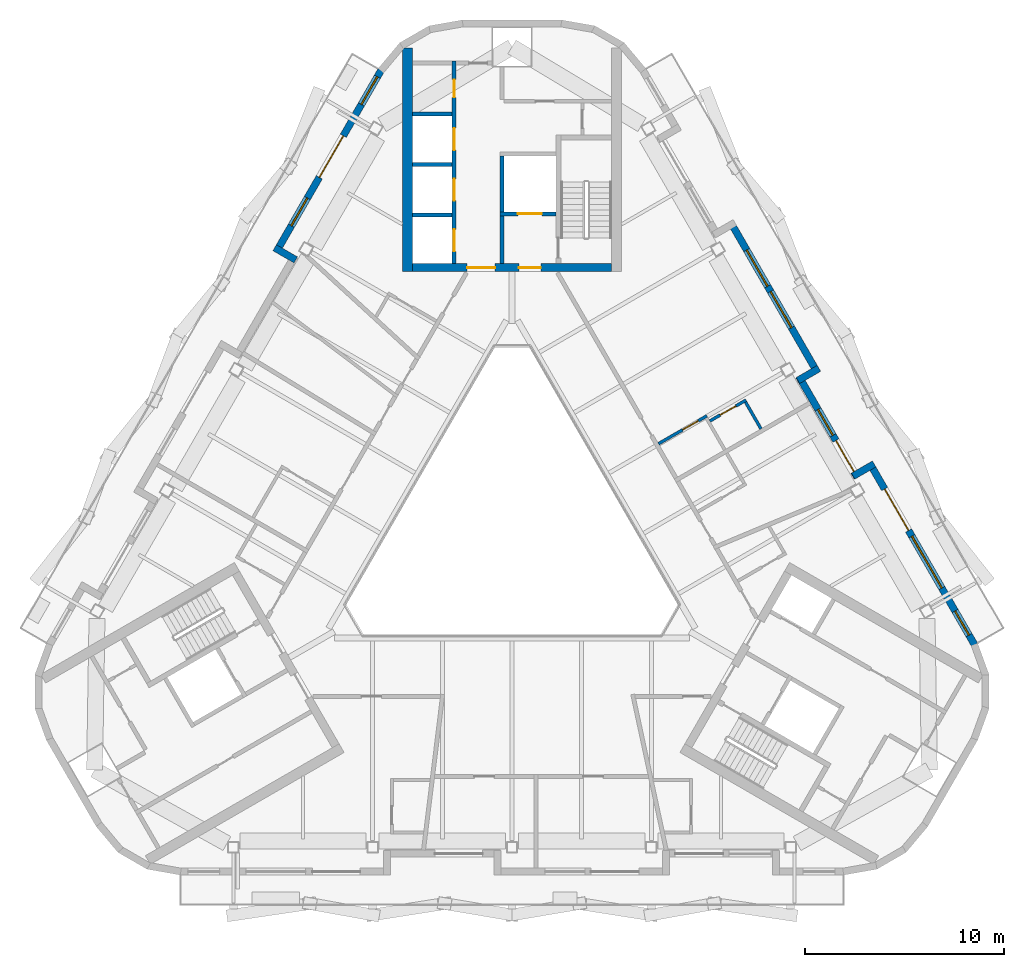
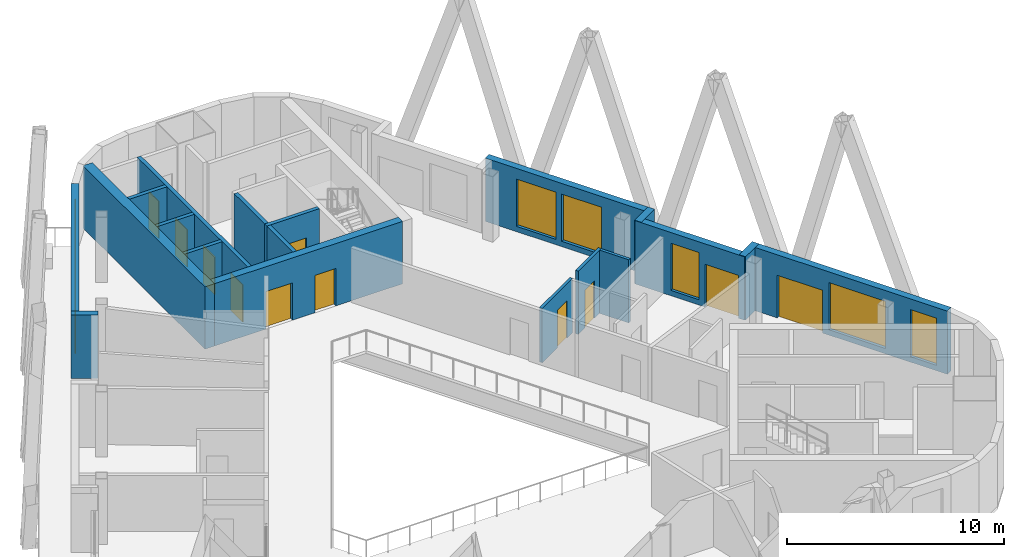
# One storey, part 6 of 12: 19 walls, 12 doors, 7 windows, 19 openings.
"""IFC4 building model written with IfcOpenShell, lengths in metres."""

from ifc_helpers import new_model, si_unit, direction, frame, frame_2d, origin, place, context, subcontext, project, spatial, rectangle, extrude, material, layer, layer_set, type_object, element, fill, save


model = new_model("IFC4")

# Units and contexts
model_context = context("Model", 3, precision=1e-05, world=origin(), true_north=direction((0.0, 1.0)))
body_context = subcontext(model_context, "Body", "Model", "MODEL_VIEW")
ifc_project = project(units=[si_unit("LENGTHUNIT", "METRE"), si_unit("AREAUNIT", "SQUARE_METRE"), si_unit("VOLUMEUNIT", "CUBIC_METRE"), si_unit("PLANEANGLEUNIT", "RADIAN"), si_unit("MASSUNIT", "GRAM", prefix="KILO")], contexts=[model_context])

# Site, building, storey
site_placement = place(None, origin())
site = spatial("IfcSite", under=ifc_project, at=site_placement, CompositionType="ELEMENT")
building_placement = place(site_placement, origin())
building = spatial("IfcBuilding", under=site, at=building_placement, Name="Apuvela Tower Hotel", CompositionType="ELEMENT")
storey_placement = place(building_placement, frame((0.0, 0.0, 291.10009765625)))
storey = spatial("IfcBuildingStorey", under=building, at=storey_placement, Name="L72", CompositionType="ELEMENT", Elevation=291.10009765625)

# Wall, openings, doors
ifc_material_1 = material(Name="Concrete C50/60", Category="concrete")
ifc_layer_1 = layer(ifc_material_1, 0.39990234375)
ifc_layer_set_1 = layer_set([ifc_layer_1], Name="COR-WALL-CORE-400")
wall_type_1 = type_object("IfcWallType", Name="COR-WALL-CORE-400", PredefinedType="SHEAR", material=ifc_layer_set_1)
wall_1_placement = place(storey_placement, frame((5.0, 13.10009765625, 0.0), z_axis=(0.0, 0.0, 1.0), x_axis=(-1.0, 0.0, 0.0)))
wall_1 = element("IfcWall", 1, at=wall_1_placement, inside=storey, type_object=wall_type_1, Name="Core wall N", PredefinedType="SHEAR", context=body_context, shape_type="SweptSolid", body=[
    extrude(rectangle(XDim=10.0, YDim=0.39990234375, at=frame_2d((5.0, 0.0))), origin(), (0.0, 0.0, 1.0), 3.5),
])
opening_1_placement = place(wall_1_placement, frame((3.550048828125, 0.0, 0.0)))
opening_1 = element("IfcOpeningElement", 2, at=opening_1_placement, cuts=wall_1, Name="Opening N-FD", PredefinedType="OPENING", context=body_context, shape_type="SweptSolid", body=[
    extrude(rectangle(XDim=1.10009765625, YDim=2.10009765625, at=frame_2d((0.550048828125, 1.050048828125))), frame((0.0, 0.2099609375, 0.0), z_axis=(0.0, -1.0, 0.0), x_axis=(1.0, 0.0, 0.0)), (0.0, 0.0, 1.0), 0.419921875),
])
opening_2_placement = place(wall_1_placement, frame((5.85009765625, 0.0, 0.0)))
opening_2 = element("IfcOpeningElement", 3, at=opening_2_placement, cuts=wall_1, Name="Opening N-GD", PredefinedType="OPENING", context=body_context, shape_type="SweptSolid", body=[
    extrude(rectangle(XDim=1.39990234375, YDim=2.10009765625, at=frame_2d((0.699951171875, 1.050048828125))), frame((0.0, 0.2099609375, 0.0), z_axis=(0.0, -1.0, 0.0), x_axis=(1.0, 0.0, 0.0)), (0.0, 0.0, 1.0), 0.419921875),
])
ifc_material_2 = material(Name="Steel fire door, powder coated", Category="steel")
door_type_1 = type_object("IfcDoorType", Name="COR-FD-1100", OperationType="NOTDEFINED", PredefinedType="DOOR", material=ifc_material_2)
door_1_placement = place(opening_1_placement, frame((1.10009765625, 0.0, 0.0), z_axis=(0.0, 0.0, 1.0), x_axis=(-1.0, 0.0, 0.0)))
door_1 = element("IfcDoor", 4, at=door_1_placement, inside=storey, type_object=door_type_1, Name="Firefighting lobby door N-FD", OperationType="SINGLE_SWING_LEFT", OverallHeight=2.10009765625, OverallWidth=1.10009765625, PredefinedType="DOOR", context=body_context, shape_type="SweptSolid", body=[
    extrude(rectangle(XDim=1.10009765625, YDim=2.10009765625, at=frame_2d((0.550048828125, 1.050048828125))), frame((0.0, 0.02490234375, 0.0), z_axis=(0.0, -1.0, 0.0), x_axis=(1.0, 0.0, 0.0)), (0.0, 0.0, 1.0), 0.050048828125),
])
fill(opening_1, door_1)
ifc_material_3 = material(Name="Glazed steel fire door", Category="steel")
door_type_2 = type_object("IfcDoorType", Name="COR-GD-1400", OperationType="DOUBLE_DOOR_SINGLE_SWING", PredefinedType="DOOR", material=ifc_material_3)
door_2_placement = place(opening_2_placement, frame((1.39990234375, 0.0, 0.0), z_axis=(0.0, 0.0, 1.0), x_axis=(-1.0, 0.0, 0.0)))
door_2 = element("IfcDoor", 5, at=door_2_placement, inside=storey, type_object=door_type_2, Name="Lift lobby door N-GD", OperationType="DOUBLE_DOOR_SINGLE_SWING", OverallHeight=2.10009765625, OverallWidth=1.39990234375, PredefinedType="DOOR", context=body_context, shape_type="SweptSolid", body=[
    extrude(rectangle(XDim=1.39990234375, YDim=2.10009765625, at=frame_2d((0.699951171875, 1.050048828125))), frame((0.0, 0.02490234375, 0.0), z_axis=(0.0, -1.0, 0.0), x_axis=(1.0, 0.0, 0.0)), (0.0, 0.0, 1.0), 0.050048828125),
])
fill(opening_2, door_2)

# Wall
ifc_layer_2 = layer(ifc_material_1, 0.5)
ifc_layer_set_2 = layer_set([ifc_layer_2], Name="COR-WALL-CORE-500")
wall_type_2 = type_object("IfcWallType", Name="COR-WALL-CORE-500", PredefinedType="SHEAR", material=ifc_layer_set_2)
wall_2_placement = place(storey_placement, frame((-5.25, 12.89990234375, 0.0), z_axis=(0.0, 0.0, 1.0), x_axis=(0.0, 1.0, 0.0)))
element("IfcWall", 6, at=wall_2_placement, inside=storey, type_object=wall_type_2, Name="Core wall N", PredefinedType="SHEAR", context=body_context, shape_type="SweptSolid", body=[
    extrude(rectangle(XDim=11.2216796875, YDim=0.5, at=frame_2d((5.61083984375, 0.0))), origin(), (0.0, 0.0, 1.0), 3.5),
])

# Wall, opening, door
ifc_layer_3 = layer(ifc_material_1, 0.199951171875)
ifc_layer_set_3 = layer_set([ifc_layer_3], Name="COR-WALL-SHAFT-200")
wall_type_3 = type_object("IfcWallType", Name="COR-WALL-SHAFT-200", PredefinedType="SHEAR", material=ifc_layer_set_3)
wall_3_placement = place(storey_placement, frame((2.199951171875, 15.800048828125, 0.0), z_axis=(0.0, 0.0, 1.0), x_axis=(-1.0, 0.0, 0.0)))
wall_3 = element("IfcWall", 7, at=wall_3_placement, inside=storey, type_object=wall_type_3, Name="Shaft wall N", PredefinedType="SHEAR", context=body_context, shape_type="SweptSolid", body=[
    extrude(rectangle(XDim=2.800048828125, YDim=0.199951171875, at=frame_2d((1.39990234375, 0.0))), origin(), (0.0, 0.0, 1.0), 3.5),
])
opening_3_placement = place(wall_3_placement, frame((0.699951171875, 0.0, 0.0)))
opening_3 = element("IfcOpeningElement", 8, at=opening_3_placement, cuts=wall_3, Name="Opening N-LD-FS1", PredefinedType="OPENING", context=body_context, shape_type="SweptSolid", body=[
    extrude(rectangle(XDim=1.199951171875, YDim=2.10009765625, at=frame_2d((0.60009765625, 1.050048828125))), frame((0.0, 0.10986328125, 0.0), z_axis=(0.0, -1.0, 0.0), x_axis=(1.0, 0.0, 0.0)), (0.0, 0.0, 1.0), 0.219970703125),
])
ifc_material_4 = material(Name="Stainless steel lift landing door", Category="steel")
door_type_3 = type_object("IfcDoorType", Name="COR-LD-1200", OperationType="DOUBLE_DOOR_SLIDING", PredefinedType="DOOR", material=ifc_material_4)
door_3_placement = place(opening_3_placement, origin())
door_3 = element("IfcDoor", 9, at=door_3_placement, inside=storey, type_object=door_type_3, Name="Lift landing door N-LD-FS1", OperationType="DOUBLE_DOOR_SLIDING", OverallHeight=2.10009765625, OverallWidth=1.199951171875, PredefinedType="DOOR", context=body_context, shape_type="SweptSolid", body=[
    extrude(rectangle(XDim=1.199951171875, YDim=2.10009765625, at=frame_2d((0.60009765625, 1.050048828125))), frame((0.0, 0.02490234375, 0.0), z_axis=(0.0, -1.0, 0.0), x_axis=(1.0, 0.0, 0.0)), (0.0, 0.0, 1.0), 0.050048828125),
])
fill(opening_3, door_3)

# Walls
wall_4_placement = place(storey_placement, frame((-0.5, 15.89990234375, 0.0), z_axis=(0.0, 0.0, 1.0), x_axis=(0.0, 1.0, 0.0)))
element("IfcWall", 10, at=wall_4_placement, inside=storey, type_object=wall_type_3, Name="Shaft wall N", PredefinedType="SHEAR", context=body_context, shape_type="SweptSolid", body=[
    extrude(rectangle(XDim=2.800048828125, YDim=0.199951171875, at=frame_2d((1.39990234375, 0.0))), origin(), (0.0, 0.0, 1.0), 3.5),
])
wall_5_placement = place(storey_placement, frame((-0.5, 13.300048828125, 0.0), z_axis=(0.0, 0.0, 1.0), x_axis=(0.0, 1.0, 0.0)))
element("IfcWall", 11, at=wall_5_placement, inside=storey, type_object=wall_type_3, Name="Shaft wall N", PredefinedType="SHEAR", context=body_context, shape_type="SweptSolid", body=[
    extrude(rectangle(XDim=2.39990234375, YDim=0.199951171875, at=frame_2d((1.199951171875, 0.0))), origin(), (0.0, 0.0, 1.0), 3.5),
])

# Wall, openings, doors
wall_6_placement = place(storey_placement, frame((-2.89990234375, 13.300048828125, 0.0), z_axis=(0.0, 0.0, 1.0), x_axis=(0.0, 1.0, 0.0)))
wall_6 = element("IfcWall", 12, at=wall_6_placement, inside=storey, type_object=wall_type_3, Name="Shaft wall N", PredefinedType="SHEAR", context=body_context, shape_type="SweptSolid", body=[
    extrude(rectangle(XDim=10.159912109375, YDim=0.199951171875, at=frame_2d((5.080078125, 0.0))), origin(), (0.0, 0.0, 1.0), 3.5),
])
opening_4_placement = place(wall_6_placement, frame((0.6201171875, 0.0, 0.0)))
opening_4 = element("IfcOpeningElement", 13, at=opening_4_placement, cuts=wall_6, Name="Opening N-LD-HR1", PredefinedType="OPENING", context=body_context, shape_type="SweptSolid", body=[
    extrude(rectangle(XDim=1.10009765625, YDim=2.10009765625, at=frame_2d((0.550048828125, 1.050048828125))), frame((0.0, 0.10986328125, 0.0), z_axis=(0.0, -1.0, 0.0), x_axis=(1.0, 0.0, 0.0)), (0.0, 0.0, 1.0), 0.219970703125),
])
opening_5_placement = place(wall_6_placement, frame((3.159912109375, 0.0, 0.0)))
opening_5 = element("IfcOpeningElement", 14, at=opening_5_placement, cuts=wall_6, Name="Opening N-LD-HR2", PredefinedType="OPENING", context=body_context, shape_type="SweptSolid", body=[
    extrude(rectangle(XDim=1.10009765625, YDim=2.10009765625, at=frame_2d((0.550048828125, 1.050048828125))), frame((0.0, 0.10986328125, 0.0), z_axis=(0.0, -1.0, 0.0), x_axis=(1.0, 0.0, 0.0)), (0.0, 0.0, 1.0), 0.219970703125),
])
opening_6_placement = place(wall_6_placement, frame((5.699951171875, 0.0, 0.0)))
opening_6 = element("IfcOpeningElement", 15, at=opening_6_placement, cuts=wall_6, Name="Opening N-LD-HR4", PredefinedType="OPENING", context=body_context, shape_type="SweptSolid", body=[
    extrude(rectangle(XDim=1.10009765625, YDim=2.10009765625, at=frame_2d((0.550048828125, 1.050048828125))), frame((0.0, 0.10986328125, 0.0), z_axis=(0.0, -1.0, 0.0), x_axis=(1.0, 0.0, 0.0)), (0.0, 0.0, 1.0), 0.219970703125),
])
opening_7_placement = place(wall_6_placement, frame((8.340087890625, 0.0, 0.0)))
opening_7 = element("IfcOpeningElement", 16, at=opening_7_placement, cuts=wall_6, Name="Opening N-RE4", PredefinedType="OPENING", context=body_context, shape_type="SweptSolid", body=[
    extrude(rectangle(XDim=0.89990234375, YDim=2.10009765625, at=frame_2d((0.449951171875, 1.050048828125))), frame((0.0, 0.10986328125, 0.0), z_axis=(0.0, -1.0, 0.0), x_axis=(1.0, 0.0, 0.0)), (0.0, 0.0, 1.0), 0.219970703125),
])
door_type_4 = type_object("IfcDoorType", Name="COR-DR-900", OperationType="NOTDEFINED", PredefinedType="DOOR", material=ifc_material_2)
door_4_placement = place(opening_7_placement, origin())
door_4 = element("IfcDoor", 17, at=door_4_placement, inside=storey, type_object=door_type_4, Name="Store door N-RE4", OperationType="SINGLE_SWING_LEFT", OverallHeight=2.10009765625, OverallWidth=0.89990234375, PredefinedType="DOOR", context=body_context, shape_type="SweptSolid", body=[
    extrude(rectangle(XDim=0.89990234375, YDim=2.10009765625, at=frame_2d((0.449951171875, 1.050048828125))), frame((0.0, 0.02490234375, 0.0), z_axis=(0.0, -1.0, 0.0), x_axis=(1.0, 0.0, 0.0)), (0.0, 0.0, 1.0), 0.050048828125),
])
fill(opening_7, door_4)
door_type_5 = type_object("IfcDoorType", Name="COR-LD-1100", OperationType="DOUBLE_DOOR_SLIDING", PredefinedType="DOOR", material=ifc_material_4)
door_5_placement = place(opening_4_placement, origin())
door_5 = element("IfcDoor", 18, at=door_5_placement, inside=storey, type_object=door_type_5, Name="Lift landing door N-LD-HR1", OperationType="DOUBLE_DOOR_SLIDING", OverallHeight=2.10009765625, OverallWidth=1.10009765625, PredefinedType="DOOR", context=body_context, shape_type="SweptSolid", body=[
    extrude(rectangle(XDim=1.10009765625, YDim=2.10009765625, at=frame_2d((0.550048828125, 1.050048828125))), frame((0.0, 0.02490234375, 0.0), z_axis=(0.0, -1.0, 0.0), x_axis=(1.0, 0.0, 0.0)), (0.0, 0.0, 1.0), 0.050048828125),
])
fill(opening_4, door_5)
door_6_placement = place(opening_5_placement, origin())
door_6 = element("IfcDoor", 19, at=door_6_placement, inside=storey, type_object=door_type_5, Name="Lift landing door N-LD-HR2", OperationType="DOUBLE_DOOR_SLIDING", OverallHeight=2.10009765625, OverallWidth=1.10009765625, PredefinedType="DOOR", context=body_context, shape_type="SweptSolid", body=[
    extrude(rectangle(XDim=1.10009765625, YDim=2.10009765625, at=frame_2d((0.550048828125, 1.050048828125))), frame((0.0, 0.02490234375, 0.0), z_axis=(0.0, -1.0, 0.0), x_axis=(1.0, 0.0, 0.0)), (0.0, 0.0, 1.0), 0.050048828125),
])
fill(opening_5, door_6)
door_7_placement = place(opening_6_placement, origin())
door_7 = element("IfcDoor", 20, at=door_7_placement, inside=storey, type_object=door_type_5, Name="Lift landing door N-LD-HR4", OperationType="DOUBLE_DOOR_SLIDING", OverallHeight=2.10009765625, OverallWidth=1.10009765625, PredefinedType="DOOR", context=body_context, shape_type="SweptSolid", body=[
    extrude(rectangle(XDim=1.10009765625, YDim=2.10009765625, at=frame_2d((0.550048828125, 1.050048828125))), frame((0.0, 0.02490234375, 0.0), z_axis=(0.0, -1.0, 0.0), x_axis=(1.0, 0.0, 0.0)), (0.0, 0.0, 1.0), 0.050048828125),
])
fill(opening_6, door_7)

# Walls
for number, where, z_axis, x_axis, name in (
    (21, (-3.0, 15.739990234375, 0.0), (0.0, 0.0, 1.0), (-1.0, 0.0, 0.0), "Shaft wall N"),
    (22, (-3.0, 18.280029296875, 0.0), (0.0, 0.0, 1.0), (-1.0, 0.0, 0.0), "Shaft wall N"),
    (23, (-3.0, 20.820068359375, 0.0), (0.0, 0.0, 1.0), (-1.0, 0.0, 0.0), "Shaft wall N"),
):
    element("IfcWall", number, at=place(storey_placement, frame(where, z_axis=z_axis, x_axis=x_axis)), inside=storey, type_object=wall_type_3, Name=name, PredefinedType="SHEAR", context=body_context, shape_type="SweptSolid", body=[
        extrude(rectangle(XDim=2.0, YDim=0.199951171875, at=frame_2d((1.0, 0.0))), origin(), (0.0, 0.0, 1.0), 3.5),
    ])

# Wall, openings, door, windows
ifc_material_5 = material(Name="Concrete C40/50, dark pigmented precast panel", Category="concrete")
ifc_layer_4 = layer(ifc_material_5, 0.35009765625)
ifc_layer_set_4 = layer_set([ifc_layer_4], Name="ENV-WALL-350")
wall_type_4 = type_object("IfcWallType", Name="ENV-WALL-350", PredefinedType="SOLIDWALL", material=ifc_layer_set_4)
wall_7_placement = place(storey_placement, frame((-6.563232421875, 23.00537109375, 0.0), z_axis=(0.0, 0.0, 1.0), x_axis=(-0.500010118922, -0.866019561543, 0.0)))
wall_7 = element("IfcWall", 24, at=wall_7_placement, inside=storey, type_object=wall_type_4, Name="External wall L72-01", PredefinedType="SOLIDWALL", context=body_context, shape_type="SweptSolid", body=[
    extrude(rectangle(XDim=10.554443359375, YDim=0.35009765625, at=frame_2d((5.27734375, 0.0))), origin(), (0.0, 0.0, 1.0), 3.5498046875),
])
opening_8_placement = place(wall_7_placement, frame((0.380126953125, 0.0, 0.300048828125)))
opening_8 = element("IfcOpeningElement", 25, at=opening_8_placement, cuts=wall_7, Name="Opening WN16", PredefinedType="OPENING", context=body_context, shape_type="SweptSolid", body=[
    extrude(rectangle(XDim=1.60009765625, YDim=2.64990234375, at=frame_2d((0.800048828125, 1.324951171875))), frame((0.0, 0.18505859375, 0.0), z_axis=(0.0, -1.0, 0.0), x_axis=(1.0, 0.0, 0.0)), (0.0, 0.0, 1.0), 0.3701171875),
])
opening_9_placement = place(wall_7_placement, frame((3.798095703125, 0.0, 0.0)))
opening_9 = element("IfcOpeningElement", 26, at=opening_9_placement, cuts=wall_7, Name="Opening BD24", PredefinedType="OPENING", context=body_context, shape_type="SweptSolid", body=[
    extrude(rectangle(XDim=2.39990234375, YDim=2.39990234375, at=frame_2d((1.199951171875, 1.199951171875))), frame((0.0, 0.18505859375, 0.0), z_axis=(0.0, -1.0, 0.0), x_axis=(1.0, 0.0, 0.0)), (0.0, 0.0, 1.0), 0.3701171875),
])
opening_10_placement = place(wall_7_placement, frame((7.404052734375, 0.0, 0.300048828125)))
opening_10 = element("IfcOpeningElement", 27, at=opening_10_placement, cuts=wall_7, Name="Opening WN16", PredefinedType="OPENING", context=body_context, shape_type="SweptSolid", body=[
    extrude(rectangle(XDim=1.60009765625, YDim=2.64990234375, at=frame_2d((0.800048828125, 1.324951171875))), frame((0.0, 0.18505859375, 0.0), z_axis=(0.0, -1.0, 0.0), x_axis=(1.0, 0.0, 0.0)), (0.0, 0.0, 1.0), 0.3701171875),
])
ifc_material_6 = material(Name="Aluminium 6063-T6, dark bronze anodised frame with dark tinted laminated glass", Category="aluminium")
door_type_6 = type_object("IfcDoorType", Name="ENV-DOOR-BALCONY-2400x2400", OperationType="SLIDING_TO_LEFT", PredefinedType="DOOR", material=ifc_material_6)
door_8_placement = place(opening_9_placement, frame((2.39990234375, 0.0, 0.0), z_axis=(0.0, 0.0, 1.0), x_axis=(-1.0, 0.0, 0.0)))
door_8 = element("IfcDoor", 28, at=door_8_placement, inside=storey, type_object=door_type_6, Name="Balcony door BD24", OperationType="SLIDING_TO_LEFT", OverallHeight=2.39990234375, OverallWidth=2.39990234375, PredefinedType="DOOR", context=body_context, shape_type="SweptSolid", body=[
    extrude(rectangle(XDim=2.39990234375, YDim=2.39990234375, at=frame_2d((1.199951171875, 1.199951171875))), frame((0.0, 0.02490234375, 0.0), z_axis=(0.0, -1.0, 0.0), x_axis=(1.0, 0.0, 0.0)), (0.0, 0.0, 1.0), 0.050048828125),
])
fill(opening_9, door_8)
ifc_material_7 = material(Name="Glass, dark tinted laminated insulated glazing unit", Category="glass")
window_type_1 = type_object("IfcWindowType", Name="ENV-WIN-1600x2650", PartitioningType="SINGLE_PANEL", PredefinedType="WINDOW", material=ifc_material_7)
window_1_placement = place(opening_8_placement, origin())
window_1 = element("IfcWindow", 29, at=window_1_placement, inside=storey, type_object=window_type_1, Name="Window WN16", OverallHeight=2.64990234375, OverallWidth=1.60009765625, PartitioningType="SINGLE_PANEL", PredefinedType="WINDOW", context=body_context, shape_type="SweptSolid", body=[
    extrude(rectangle(XDim=1.60009765625, YDim=2.64990234375, at=frame_2d((0.800048828125, 1.324951171875))), frame((0.0, 0.030029296875, 0.0), z_axis=(0.0, -1.0, 0.0), x_axis=(1.0, 0.0, 0.0)), (0.0, 0.0, 1.0), 0.06005859375),
])
fill(opening_8, window_1)
window_2_placement = place(opening_10_placement, origin())
window_2 = element("IfcWindow", 30, at=window_2_placement, inside=storey, type_object=window_type_1, Name="Window WN16", OverallHeight=2.64990234375, OverallWidth=1.60009765625, PartitioningType="SINGLE_PANEL", PredefinedType="WINDOW", context=body_context, shape_type="SweptSolid", body=[
    extrude(rectangle(XDim=1.60009765625, YDim=2.64990234375, at=frame_2d((0.800048828125, 1.324951171875))), frame((0.0, 0.030029296875, 0.0), z_axis=(0.0, -1.0, 0.0), x_axis=(1.0, 0.0, 0.0)), (0.0, 0.0, 1.0), 0.06005859375),
])
fill(opening_10, window_2)

# Wall
wall_8_placement = place(storey_placement, frame((-11.904541015625, 14.10400390625, 0.0), z_axis=(0.0, 0.0, 1.0), x_axis=(0.866005645448, -0.500034220881, 0.0)))
element("IfcWall", 31, at=wall_8_placement, inside=storey, type_object=wall_type_4, Name="External wall L72-02", PredefinedType="SOLIDWALL", context=body_context, shape_type="SweptSolid", body=[
    extrude(rectangle(XDim=1.22021484375, YDim=0.35009765625, at=frame_2d((0.610107421875, 0.0))), origin(), (0.0, 0.0, 1.0), 3.5498046875),
])

# Wall, openings, door, windows
wall_9_placement = place(storey_placement, frame((23.204833984375, -5.818603515625, 0.0), z_axis=(0.0, 0.0, 1.0), x_axis=(-0.500010118922, 0.866019561543, 0.0)))
wall_9 = element("IfcWall", 32, at=wall_9_placement, inside=storey, type_object=wall_type_4, Name="External wall L72-33", PredefinedType="SOLIDWALL", context=body_context, shape_type="SweptSolid", body=[
    extrude(rectangle(XDim=10.554443359375, YDim=0.35009765625, at=frame_2d((5.27734375, 0.0))), origin(), (0.0, 0.0, 1.0), 3.5498046875),
])
opening_11_placement = place(wall_9_placement, frame((0.56640625, 0.0, 0.300048828125)))
opening_11 = element("IfcOpeningElement", 33, at=opening_11_placement, cuts=wall_9, Name="Opening WN14", PredefinedType="OPENING", context=body_context, shape_type="SweptSolid", body=[
    extrude(rectangle(XDim=1.39990234375, YDim=2.64990234375, at=frame_2d((0.699951171875, 1.324951171875))), frame((0.0, 0.18505859375, 0.0), z_axis=(0.0, -1.0, 0.0), x_axis=(1.0, 0.0, 0.0)), (0.0, 0.0, 1.0), 0.3701171875),
])
opening_12_placement = place(wall_9_placement, frame((6.629638671875, 0.0, 0.0)))
opening_12 = element("IfcOpeningElement", 34, at=opening_12_placement, cuts=wall_9, Name="Opening BD24", PredefinedType="OPENING", context=body_context, shape_type="SweptSolid", body=[
    extrude(rectangle(XDim=2.39990234375, YDim=2.39990234375, at=frame_2d((1.199951171875, 1.199951171875))), frame((0.0, 0.18505859375, 0.0), z_axis=(0.0, -1.0, 0.0), x_axis=(1.0, 0.0, 0.0)), (0.0, 0.0, 1.0), 0.3701171875),
])
opening_13_placement = place(wall_9_placement, frame((3.2919921875, 0.0, 0.300048828125)))
opening_13 = element("IfcOpeningElement", 35, at=opening_13_placement, cuts=wall_9, Name="Opening WN30", PredefinedType="OPENING", context=body_context, shape_type="SweptSolid", body=[
    extrude(rectangle(XDim=3.0, YDim=2.64990234375, at=frame_2d((1.5, 1.324951171875))), frame((0.0, 0.18505859375, 0.0), z_axis=(0.0, -1.0, 0.0), x_axis=(1.0, 0.0, 0.0)), (0.0, 0.0, 1.0), 0.3701171875),
])
door_9_placement = place(opening_12_placement, frame((2.39990234375, 0.0, 0.0), z_axis=(0.0, 0.0, 1.0), x_axis=(-1.0, 0.0, 0.0)))
door_9 = element("IfcDoor", 36, at=door_9_placement, inside=storey, type_object=door_type_6, Name="Balcony door BD24", OperationType="SLIDING_TO_LEFT", OverallHeight=2.39990234375, OverallWidth=2.39990234375, PredefinedType="DOOR", context=body_context, shape_type="SweptSolid", body=[
    extrude(rectangle(XDim=2.39990234375, YDim=2.39990234375, at=frame_2d((1.199951171875, 1.199951171875))), frame((0.0, 0.02490234375, 0.0), z_axis=(0.0, -1.0, 0.0), x_axis=(1.0, 0.0, 0.0)), (0.0, 0.0, 1.0), 0.050048828125),
])
fill(opening_12, door_9)
window_type_2 = type_object("IfcWindowType", Name="ENV-WIN-1400x2650", PartitioningType="SINGLE_PANEL", PredefinedType="WINDOW", material=ifc_material_7)
window_3_placement = place(opening_11_placement, origin())
window_3 = element("IfcWindow", 37, at=window_3_placement, inside=storey, type_object=window_type_2, Name="Window WN14", OverallHeight=2.64990234375, OverallWidth=1.39990234375, PartitioningType="SINGLE_PANEL", PredefinedType="WINDOW", context=body_context, shape_type="SweptSolid", body=[
    extrude(rectangle(XDim=1.39990234375, YDim=2.64990234375, at=frame_2d((0.699951171875, 1.324951171875))), frame((0.0, 0.030029296875, 0.0), z_axis=(0.0, -1.0, 0.0), x_axis=(1.0, 0.0, 0.0)), (0.0, 0.0, 1.0), 0.06005859375),
])
fill(opening_11, window_3)
window_type_3 = type_object("IfcWindowType", Name="ENV-WIN-3000x2650", PartitioningType="SINGLE_PANEL", PredefinedType="WINDOW", material=ifc_material_7)
window_4_placement = place(opening_13_placement, origin())
window_4 = element("IfcWindow", 38, at=window_4_placement, inside=storey, type_object=window_type_3, Name="Window WN30", OverallHeight=2.64990234375, OverallWidth=3.0, PartitioningType="SINGLE_PANEL", PredefinedType="WINDOW", context=body_context, shape_type="SweptSolid", body=[
    extrude(rectangle(XDim=3.0, YDim=2.64990234375, at=frame_2d((1.5, 1.324951171875))), frame((0.0, 0.030029296875, 0.0), z_axis=(0.0, -1.0, 0.0), x_axis=(1.0, 0.0, 0.0)), (0.0, 0.0, 1.0), 0.06005859375),
])
fill(opening_13, window_4)

# Wall
wall_10_placement = place(storey_placement, frame((18.166748046875, 3.2578125, 0.0), z_axis=(0.0, 0.0, 1.0), x_axis=(-0.866005645448, -0.500034220881, 0.0)))
element("IfcWall", 39, at=wall_10_placement, inside=storey, type_object=wall_type_4, Name="External wall L72-34", PredefinedType="SOLIDWALL", context=body_context, shape_type="SweptSolid", body=[
    extrude(rectangle(XDim=1.22021484375, YDim=0.35009765625, at=frame_2d((0.610107421875, 0.0))), origin(), (0.0, 0.0, 1.0), 3.5498046875),
])

# Wall, openings, door, window
wall_11_placement = place(storey_placement, frame((17.30810546875, 2.5947265625, 0.0), z_axis=(0.0, 0.0, 1.0), x_axis=(-0.500005339912, 0.866022320763, 0.0)))
wall_11 = element("IfcWall", 40, at=wall_11_placement, inside=storey, type_object=wall_type_4, Name="External wall L72-35", PredefinedType="SOLIDWALL", context=body_context, shape_type="SweptSolid", body=[
    extrude(rectangle(XDim=5.8271484375, YDim=0.35009765625, at=frame_2d((2.91357421875, 0.0))), origin(), (0.0, 0.0, 1.0), 3.5498046875),
])
opening_14_placement = place(wall_11_placement, frame((0.320068359375, 0.0, 0.0)))
opening_14 = element("IfcOpeningElement", 41, at=opening_14_placement, cuts=wall_11, Name="Opening BD18", PredefinedType="OPENING", context=body_context, shape_type="SweptSolid", body=[
    extrude(rectangle(XDim=1.800048828125, YDim=2.39990234375, at=frame_2d((0.89990234375, 1.199951171875))), frame((0.0, 0.18505859375, 0.0), z_axis=(0.0, -1.0, 0.0), x_axis=(1.0, 0.0, 0.0)), (0.0, 0.0, 1.0), 0.3701171875),
])
opening_15_placement = place(wall_11_placement, frame((2.419921875, 0.0, 0.300048828125)))
opening_15 = element("IfcOpeningElement", 42, at=opening_15_placement, cuts=wall_11, Name="Opening WN15", PredefinedType="OPENING", context=body_context, shape_type="SweptSolid", body=[
    extrude(rectangle(XDim=1.5, YDim=2.64990234375, at=frame_2d((0.75, 1.324951171875))), frame((0.0, 0.18505859375, 0.0), z_axis=(0.0, -1.0, 0.0), x_axis=(1.0, 0.0, 0.0)), (0.0, 0.0, 1.0), 0.3701171875),
])
door_type_7 = type_object("IfcDoorType", Name="ENV-DOOR-BALCONY-1800x2400", OperationType="SLIDING_TO_LEFT", PredefinedType="DOOR", material=ifc_material_6)
door_10_placement = place(opening_14_placement, frame((1.800048828125, 0.0, 0.0), z_axis=(0.0, 0.0, 1.0), x_axis=(-1.0, 0.0, 0.0)))
door_10 = element("IfcDoor", 43, at=door_10_placement, inside=storey, type_object=door_type_7, Name="Balcony door BD18", OperationType="SLIDING_TO_LEFT", OverallHeight=2.39990234375, OverallWidth=1.800048828125, PredefinedType="DOOR", context=body_context, shape_type="SweptSolid", body=[
    extrude(rectangle(XDim=1.800048828125, YDim=2.39990234375, at=frame_2d((0.89990234375, 1.199951171875))), frame((0.0, 0.02490234375, 0.0), z_axis=(0.0, -1.0, 0.0), x_axis=(1.0, 0.0, 0.0)), (0.0, 0.0, 1.0), 0.050048828125),
])
fill(opening_14, door_10)
window_type_4 = type_object("IfcWindowType", Name="ENV-WIN-1500x2650", PartitioningType="SINGLE_PANEL", PredefinedType="WINDOW", material=ifc_material_7)
window_5_placement = place(opening_15_placement, origin())
window_5 = element("IfcWindow", 44, at=window_5_placement, inside=storey, type_object=window_type_4, Name="Window WN15", OverallHeight=2.64990234375, OverallWidth=1.5, PartitioningType="SINGLE_PANEL", PredefinedType="WINDOW", context=body_context, shape_type="SweptSolid", body=[
    extrude(rectangle(XDim=1.5, YDim=2.64990234375, at=frame_2d((0.75, 1.324951171875))), frame((0.0, 0.030029296875, 0.0), z_axis=(0.0, -1.0, 0.0), x_axis=(1.0, 0.0, 0.0)), (0.0, 0.0, 1.0), 0.06005859375),
])
fill(opening_15, window_5)

# Wall
wall_12_placement = place(storey_placement, frame((14.341552734375, 7.443115234375, 0.0), z_axis=(0.0, 0.0, 1.0), x_axis=(0.866092288191, 0.499884134912, 0.0)))
element("IfcWall", 45, at=wall_12_placement, inside=storey, type_object=wall_type_4, Name="External wall L72-36", PredefinedType="SOLIDWALL", context=body_context, shape_type="SweptSolid", body=[
    extrude(rectangle(XDim=1.219970703125, YDim=0.35009765625, at=frame_2d((0.60986328125, 0.0))), origin(), (0.0, 0.0, 1.0), 3.5498046875),
])

# Wall, openings, windows
wall_13_placement = place(storey_placement, frame((15.333984375, 7.81396484375, 0.0), z_axis=(0.0, 0.0, 1.0), x_axis=(-0.499999835575, 0.866025498715, 0.0)))
wall_13 = element("IfcWall", 46, at=wall_13_placement, inside=storey, type_object=wall_type_4, Name="External wall L72-37", PredefinedType="SOLIDWALL", context=body_context, shape_type="SweptSolid", body=[
    extrude(rectangle(XDim=8.787109375, YDim=0.35009765625, at=frame_2d((4.3935546875, 0.0))), origin(), (0.0, 0.0, 1.0), 3.5498046875),
])
opening_16_placement = place(wall_13_placement, frame((2.629150390625, 0.0, 0.300048828125)))
opening_16 = element("IfcOpeningElement", 47, at=opening_16_placement, cuts=wall_13, Name="Opening WN21", PredefinedType="OPENING", context=body_context, shape_type="SweptSolid", body=[
    extrude(rectangle(XDim=2.10009765625, YDim=2.64990234375, at=frame_2d((1.050048828125, 1.324951171875))), frame((0.0, 0.18505859375, 0.0), z_axis=(0.0, -1.0, 0.0), x_axis=(1.0, 0.0, 0.0)), (0.0, 0.0, 1.0), 0.3701171875),
])
opening_17_placement = place(wall_13_placement, frame((5.029052734375, 0.0, 0.300048828125)))
opening_17 = element("IfcOpeningElement", 48, at=opening_17_placement, cuts=wall_13, Name="Opening WN21", PredefinedType="OPENING", context=body_context, shape_type="SweptSolid", body=[
    extrude(rectangle(XDim=2.10009765625, YDim=2.64990234375, at=frame_2d((1.050048828125, 1.324951171875))), frame((0.0, 0.18505859375, 0.0), z_axis=(0.0, -1.0, 0.0), x_axis=(1.0, 0.0, 0.0)), (0.0, 0.0, 1.0), 0.3701171875),
])
window_type_5 = type_object("IfcWindowType", Name="ENV-WIN-2100x2650", PartitioningType="SINGLE_PANEL", PredefinedType="WINDOW", material=ifc_material_7)
window_6_placement = place(opening_16_placement, origin())
window_6 = element("IfcWindow", 49, at=window_6_placement, inside=storey, type_object=window_type_5, Name="Window WN21", OverallHeight=2.64990234375, OverallWidth=2.10009765625, PartitioningType="SINGLE_PANEL", PredefinedType="WINDOW", context=body_context, shape_type="SweptSolid", body=[
    extrude(rectangle(XDim=2.10009765625, YDim=2.64990234375, at=frame_2d((1.050048828125, 1.324951171875))), frame((0.0, 0.030029296875, 0.0), z_axis=(0.0, -1.0, 0.0), x_axis=(1.0, 0.0, 0.0)), (0.0, 0.0, 1.0), 0.06005859375),
])
fill(opening_16, window_6)
window_7_placement = place(opening_17_placement, origin())
window_7 = element("IfcWindow", 50, at=window_7_placement, inside=storey, type_object=window_type_5, Name="Window WN21", OverallHeight=2.64990234375, OverallWidth=2.10009765625, PartitioningType="SINGLE_PANEL", PredefinedType="WINDOW", context=body_context, shape_type="SweptSolid", body=[
    extrude(rectangle(XDim=2.10009765625, YDim=2.64990234375, at=frame_2d((1.050048828125, 1.324951171875))), frame((0.0, 0.030029296875, 0.0), z_axis=(0.0, -1.0, 0.0), x_axis=(1.0, 0.0, 0.0)), (0.0, 0.0, 1.0), 0.06005859375),
])
fill(opening_17, window_7)

# Wall, opening, door
ifc_material_8 = material(Name="Moisture-resistant gypsum board wet wall on steel stud", Category="steel")
ifc_layer_5 = layer(ifc_material_8, 0.14990234375)
ifc_layer_set_5 = layer_set([ifc_layer_5], Name="GST-PW3")
wall_type_5 = type_object("IfcWallType", Name="GST-PW3", PredefinedType="PARTITIONING", material=ifc_layer_set_5)
wall_14_placement = place(storey_placement, frame((9.773681640625, 5.671630859375, 0.0), z_axis=(0.0, 0.0, 1.0), x_axis=(-0.866056369097, -0.49994636267, 0.0)))
wall_14 = element("IfcWall", 51, at=wall_14_placement, inside=storey, type_object=wall_type_5, Name="L72 partition 26", PredefinedType="PARTITIONING", context=body_context, shape_type="SweptSolid", body=[
    extrude(rectangle(XDim=2.800048828125, YDim=0.14990234375, at=frame_2d((1.39990234375, 0.0))), origin(), (0.0, 0.0, 1.0), 3.0498046875),
])
opening_18_placement = place(wall_14_placement, frame((0.5, 0.0, 0.0)))
opening_18 = element("IfcOpeningElement", 52, at=opening_18_placement, cuts=wall_14, Name="Opening GD29-11", PredefinedType="OPENING", context=body_context, shape_type="SweptSolid", body=[
    extrude(rectangle(XDim=0.89990234375, YDim=2.10009765625, at=frame_2d((0.449951171875, 1.050048828125))), frame((0.0, 0.0849609375, 0.0), z_axis=(0.0, -1.0, 0.0), x_axis=(1.0, 0.0, 0.0)), (0.0, 0.0, 1.0), 0.169921875),
])
ifc_material_9 = material(Name="Timber door leaf in steel frame", Category="steel")
door_type_8 = type_object("IfcDoorType", Name="GST-D2", OperationType="NOTDEFINED", PredefinedType="DOOR", material=ifc_material_9)
door_11_placement = place(opening_18_placement, origin())
door_11 = element("IfcDoor", 53, at=door_11_placement, inside=storey, type_object=door_type_8, Name="Door L72-11", OperationType="SINGLE_SWING_LEFT", OverallHeight=2.10009765625, OverallWidth=0.89990234375, PredefinedType="DOOR", context=body_context, shape_type="SweptSolid", body=[
    extrude(rectangle(XDim=0.89990234375, YDim=2.10009765625, at=frame_2d((0.449951171875, 1.050048828125))), frame((0.0, 0.02490234375, 0.0), z_axis=(0.0, -1.0, 0.0), x_axis=(1.0, 0.0, 0.0)), (0.0, 0.0, 1.0), 0.050048828125),
])
fill(opening_18, door_11)

wall_15_placement = place(storey_placement, frame((11.7421875, 6.4619140625, 0.0), z_axis=(0.0, 0.0, 1.0), x_axis=(-0.866009402589, -0.500027713859, 0.0)))
wall_15 = element("IfcWall", 54, at=wall_15_placement, inside=storey, type_object=wall_type_5, Name="L72 partition 28", PredefinedType="PARTITIONING", context=body_context, shape_type="SweptSolid", body=[
    extrude(rectangle(XDim=2.10009765625, YDim=0.14990234375, at=frame_2d((1.050048828125, 0.0))), origin(), (0.0, 0.0, 1.0), 3.5498046875),
])
opening_19_placement = place(wall_15_placement, frame((0.599853515625, 0.0, 0.0)))
opening_19 = element("IfcOpeningElement", 55, at=opening_19_placement, cuts=wall_15, Name="Opening GD29-12", PredefinedType="OPENING", context=body_context, shape_type="SweptSolid", body=[
    extrude(rectangle(XDim=0.89990234375, YDim=2.10009765625, at=frame_2d((0.449951171875, 1.050048828125))), frame((0.0, 0.0849609375, 0.0), z_axis=(0.0, -1.0, 0.0), x_axis=(1.0, 0.0, 0.0)), (0.0, 0.0, 1.0), 0.169921875),
])
door_12_placement = place(opening_19_placement, origin())
door_12 = element("IfcDoor", 56, at=door_12_placement, inside=storey, type_object=door_type_8, Name="Door L72-12", OperationType="SINGLE_SWING_LEFT", OverallHeight=2.10009765625, OverallWidth=0.89990234375, PredefinedType="DOOR", context=body_context, shape_type="SweptSolid", body=[
    extrude(rectangle(XDim=0.89990234375, YDim=2.10009765625, at=frame_2d((0.449951171875, 1.050048828125))), frame((0.0, 0.02490234375, 0.0), z_axis=(0.0, -1.0, 0.0), x_axis=(1.0, 0.0, 0.0)), (0.0, 0.0, 1.0), 0.050048828125),
])
fill(opening_19, door_12)

# Wall
wall_16_placement = place(storey_placement, frame((12.48974609375, 5.01708984375, 0.0), z_axis=(0.0, 0.0, 1.0), x_axis=(-0.499967891604, 0.866043940782, 0.0)))
element("IfcWall", 57, at=wall_16_placement, inside=storey, type_object=wall_type_5, Name="L72 partition 29", PredefinedType="PARTITIONING", context=body_context, shape_type="SweptSolid", body=[
    extrude(rectangle(XDim=1.5498046875, YDim=0.14990234375, at=frame_2d((0.77490234375, 0.0))), origin(), (0.0, 0.0, 1.0), 3.5498046875),
])

save(model, "model.ifc")
